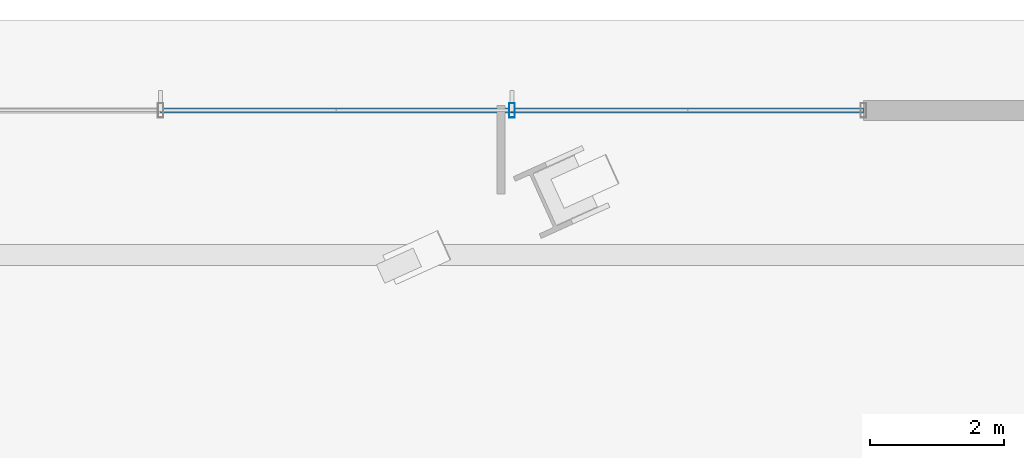
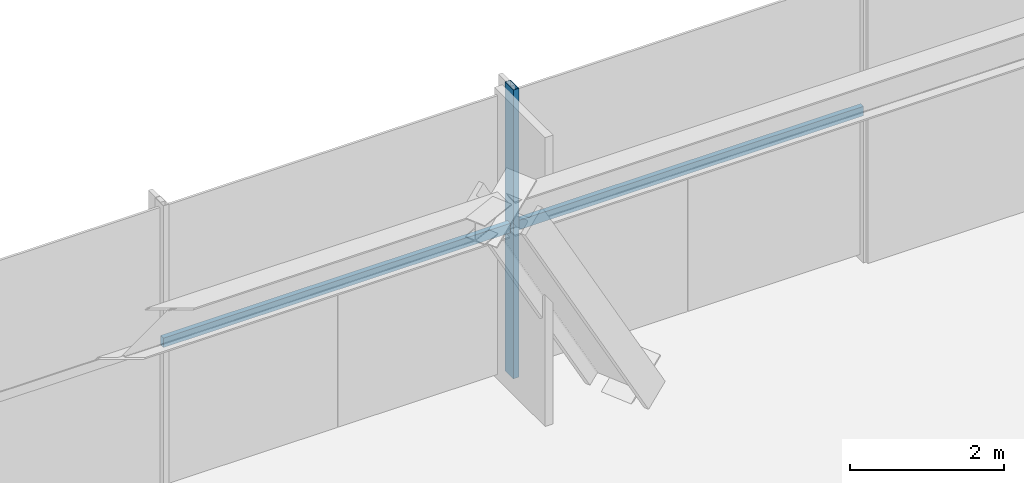
# One storey, part 18 of 31: 3 members, 1 element without a shape of its own.
"""IFC4 building model written with IfcOpenShell, lengths in metres."""

from ifc_helpers import new_model, si_unit, direction, frame, origin, origin_2d, place, context, subcontext, project, spatial, hollow_rectangle, extrude, source, transform, mapped, material, material_profile, profile_set, type_object, type_shapes, element, aggregate, save


model = new_model("IFC4")

# Units and contexts
model_context = context("Model", 3, precision=1e-05, world=origin(), true_north=direction((0.0, 1.0)))
body_context = subcontext(model_context, "Body", "Model", "MODEL_VIEW")
ifc_project = project(units=[si_unit("LENGTHUNIT", "METRE"), si_unit("AREAUNIT", "SQUARE_METRE"), si_unit("VOLUMEUNIT", "CUBIC_METRE"), si_unit("PLANEANGLEUNIT", "RADIAN"), si_unit("MASSUNIT", "GRAM", prefix="KILO")], contexts=[model_context])

# Site, building, storey
site_placement = place(None, origin())
site = spatial("IfcSite", under=ifc_project, at=site_placement, CompositionType="ELEMENT")
building_placement = place(site_placement, origin())
building = spatial("IfcBuilding", under=site, at=building_placement, Name="Astriad Promenade Condominiums", CompositionType="ELEMENT")
storey_placement = place(building_placement, origin())
storey = spatial("IfcBuildingStorey", under=building, at=storey_placement, Name="L00", CompositionType="ELEMENT", Elevation=0.0)

# Curtain wall, members
ifc_material_1 = material(Name="Anodised aluminium Black Dark Glass Unitised", Category="aluminium")
curtain_wall_type = type_object("IfcCurtainWallType", Name="CW-POD-DARK", PredefinedType="USERDEFINED", material=ifc_material_1)
curtain_wall_placement = place(storey_placement, origin())
curtain_wall = element("IfcCurtainWall", 1, at=curtain_wall_placement, inside=storey, type_object=curtain_wall_type, Name="CW-L00-N", ObjectType="UNITISED_CURTAIN_WALL", PredefinedType="USERDEFINED")
ifc_material_2 = material(Name="Anodised aluminium 6063-T6 Black", Category="aluminium")
ifc_material_profile_1 = material_profile(ifc_material_2, hollow_rectangle(XDim=0.0849609375, YDim=0.219970703125, WallThickness=0.0048828125, at=origin_2d()), Name="ALU-MUL-85X220")
ifc_profile_set_1 = profile_set([ifc_material_profile_1], Name="Anodised aluminium 6063-T6 Black")
member_type_1 = type_object("IfcMemberType", Name="MUL-ALU-MUL-85X220", PredefinedType="MULLION", material=ifc_profile_set_1)
shared_shape_1 = source(origin(), body_context, "Body", "SweptSolid", [
    extrude(hollow_rectangle(XDim=0.0849609375, YDim=0.219970703125, WallThickness=0.0048828125, at=origin_2d()), origin(), (0.0, 0.0, 1.0), 4.580078125),
])
type_shapes(member_type_1, [shared_shape_1])
member_1_placement = place(storey_placement, frame((60.75, 36.64990234375, 0.0), z_axis=(0.0, 0.0, 1.0), x_axis=(1.0, 0.0, 0.0)))
member_1 = element("IfcMember", 2, at=member_1_placement, type_object=member_type_1, Name="CW-L00-N-MUL-07", PredefinedType="MULLION", context=body_context, shape_type="MappedRepresentation", body=[
    mapped(shared_shape_1, transform((0.0, 0.0, 0.0), scale=1.0)),
])
ifc_material_profile_2 = material_profile(ifc_material_2, hollow_rectangle(XDim=0.074951171875, YDim=0.14990234375, WallThickness=0.004150390625, at=origin_2d()), Name="ALU-TRN-75X150")
ifc_profile_set_2 = profile_set([ifc_material_profile_2], Name="Anodised aluminium 6063-T6 Black")
member_type_2 = type_object("IfcMemberType", Name="TRN-ALU-TRN-75X150", PredefinedType="USERDEFINED", material=ifc_profile_set_2)
shared_shape_2 = source(origin(), body_context, "Body", "SweptSolid", [
    extrude(hollow_rectangle(XDim=0.074951171875, YDim=0.14990234375, WallThickness=0.004150390625, at=origin_2d()), origin(), (0.0, 0.0, 1.0), 5.25),
])
type_shapes(member_type_2, [shared_shape_2])
member_2_placement = place(storey_placement, frame((55.5, 36.64990234375, 2.35009765625), z_axis=(1.0, 0.0, 0.0), x_axis=(0.0, 1.0, 0.0)))
member_2 = element("IfcMember", 3, at=member_2_placement, type_object=member_type_2, Name="CW-L00-N-TRN-06-0", ObjectType="TRANSOM", PredefinedType="USERDEFINED", context=body_context, shape_type="MappedRepresentation", body=[
    mapped(shared_shape_2, transform((0.0, 0.0, 0.0), scale=1.0)),
])
member_3_placement = place(storey_placement, frame((60.75, 36.64990234375, 2.35009765625), z_axis=(1.0, 0.0, 0.0), x_axis=(0.0, 1.0, 0.0)))
member_3 = element("IfcMember", 4, at=member_3_placement, type_object=member_type_2, Name="CW-L00-N-TRN-07-0", ObjectType="TRANSOM", PredefinedType="USERDEFINED", context=body_context, shape_type="MappedRepresentation", body=[
    mapped(shared_shape_2, transform((0.0, 0.0, 0.0), scale=1.0)),
])
aggregate(curtain_wall, [member_1, member_2, member_3])

save(model, "model.ifc")
